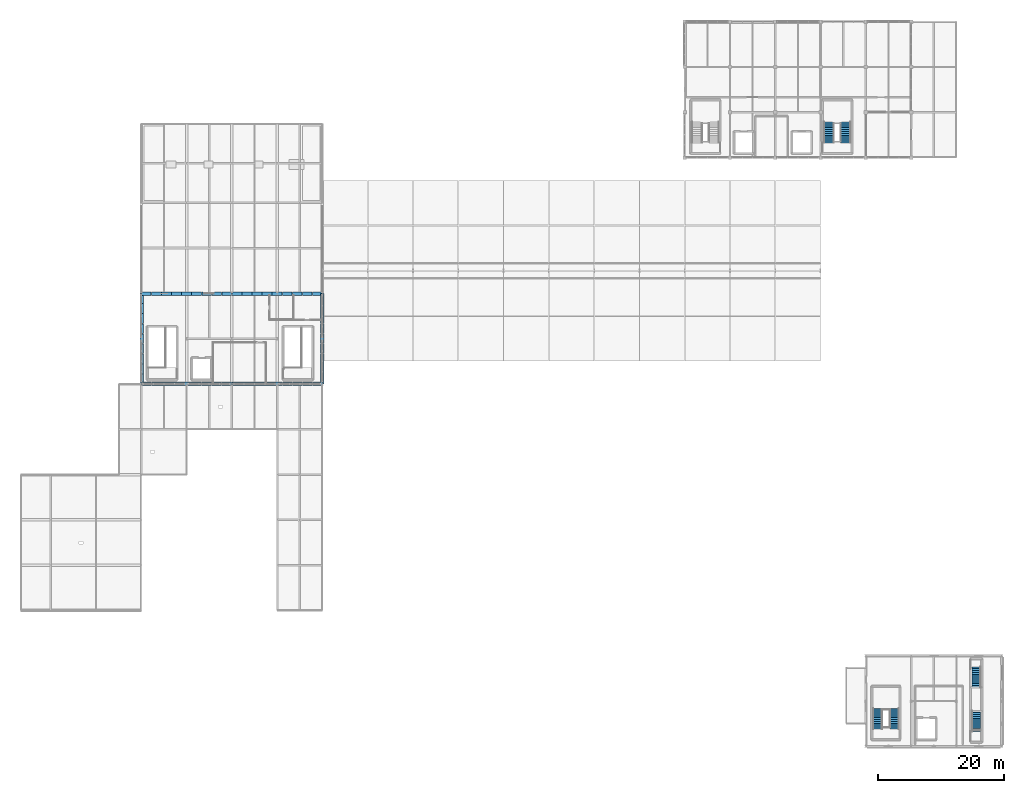
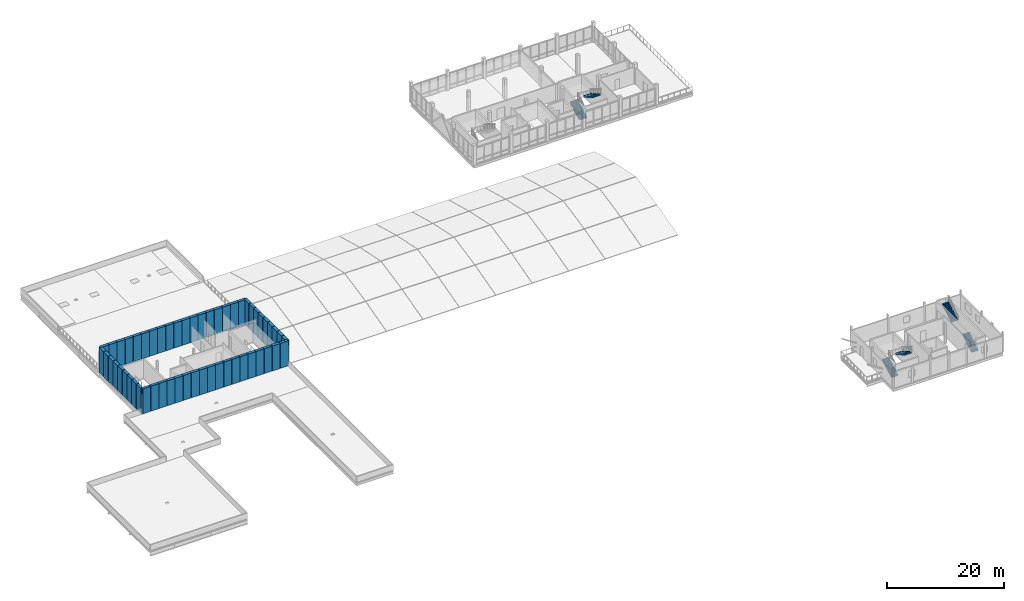
# One storey, part 42 of 47: 54 discrete accessories, 6 stair flights, 3 elements without a shape of their own.
"""IFC4 building model written with IfcOpenShell, lengths in metres."""

from ifc_helpers import new_model, si_unit, direction, frame, origin, origin_2d, place, context, subcontext, project, spatial, polyline, rectangle, outline, extrude, material, type_object, element, aggregate, save


model = new_model("IFC4")

# Units and contexts
model_context = context("Model", 3, precision=1e-05, world=origin(), true_north=direction((0.0, 1.0)))
body_context = subcontext(model_context, "Body", "Model", "MODEL_VIEW")
ifc_project = project(units=[si_unit("LENGTHUNIT", "METRE"), si_unit("AREAUNIT", "SQUARE_METRE"), si_unit("VOLUMEUNIT", "CUBIC_METRE"), si_unit("PLANEANGLEUNIT", "RADIAN"), si_unit("MASSUNIT", "GRAM", prefix="KILO")], contexts=[model_context])

# Site, building, storey
site_placement = place(None, origin())
site = spatial("IfcSite", under=ifc_project, at=site_placement, CompositionType="ELEMENT")
building_placement = place(site_placement, origin())
building = spatial("IfcBuilding", under=site, at=building_placement, Name="Yarey Park Central Fire Station", CompositionType="ELEMENT")
storey_placement = place(building_placement, frame((0.0, 0.0, 18.0)))
storey = spatial("IfcBuildingStorey", under=building, at=storey_placement, Name="L05", CompositionType="ELEMENT", Elevation=18.0)

# Stair, stair flights
ifc_material_1 = material(Name="Concrete C40/50", Category="concrete")
stair_type_1 = type_object("IfcStairType", Name="INT_ST_2RUN_130_H42", PredefinedType="USERDEFINED", material=ifc_material_1)
stair_1_placement = place(storey_placement, origin())
stair_1 = element("IfcStair", 1, at=stair_1_placement, inside=storey, type_object=stair_type_1, Name="Exit Stair ST-5 L05", ObjectType="TWO_RUN_STAIR", PredefinedType="USERDEFINED")
stair_flight_type_1 = type_object("IfcStairFlightType", Name="INT_FLT_130_12", PredefinedType="STRAIGHT", material=ifc_material_1)
stair_flight_1_placement = place(storey_placement, frame((145.89990234375, 2.75, 0.0), z_axis=(0.0, 0.0, 1.0), x_axis=(0.0, 1.0, 0.0)))
stair_flight_1 = element("IfcStairFlight", 2, at=stair_flight_1_placement, type_object=stair_flight_type_1, Name="STAIR_C5_L05_F1", NumberOfRisers=12, NumberOfTreads=11, PredefinedType="STRAIGHT", RiserHeight=0.175, TreadLength=0.3, context=body_context, shape_type="SweptSolid", body=[
    extrude(outline(polyline([(0.0, 0.0), (0.0, 0.175048828125), (0.300048828125, 0.175048828125), (0.300048828125, 0.35009765625), (0.60009765625, 0.35009765625), (0.60009765625, 0.52490234375), (0.89990234375, 0.52490234375), (0.89990234375, 0.699951171875), (1.199951171875, 0.699951171875), (1.199951171875, 0.875), (1.5, 0.875), (1.5, 1.050048828125), (1.800048828125, 1.050048828125), (1.800048828125, 1.22509765625), (2.10009765625, 1.22509765625), (2.10009765625, 1.39990234375), (2.39990234375, 1.39990234375), (2.39990234375, 1.574951171875), (2.699951171875, 1.574951171875), (2.699951171875, 1.75), (3.0, 1.75), (3.0, 1.925048828125), (3.300048828125, 1.925048828125), (3.300048828125, 2.10009765625), (3.300048828125, 1.67041015625), (0.4365234375, 0.0), (0.0, 0.0)])), frame((0.0, 0.64990234375, 0.0), z_axis=(0.0, -1.0, 0.0), x_axis=(1.0, 0.0, 0.0)), (0.0, 0.0, 1.0), 1.300048828125),
])
stair_flight_2_placement = place(storey_placement, frame((148.5, 6.050048828125, 2.10009765625), z_axis=(0.0, 0.0, 1.0), x_axis=(0.0, -1.0, 0.0)))
stair_flight_2 = element("IfcStairFlight", 3, at=stair_flight_2_placement, type_object=stair_flight_type_1, Name="STAIR_C5_L05_F2", NumberOfRisers=12, NumberOfTreads=11, PredefinedType="STRAIGHT", RiserHeight=0.175, TreadLength=0.3, context=body_context, shape_type="SweptSolid", body=[
    extrude(outline(polyline([(0.0, 0.0), (0.0, 0.175048828125), (0.300048828125, 0.175048828125), (0.300048828125, 0.35009765625), (0.60009765625, 0.35009765625), (0.60009765625, 0.52490234375), (0.89990234375, 0.52490234375), (0.89990234375, 0.699951171875), (1.199951171875, 0.699951171875), (1.199951171875, 0.875), (1.5, 0.875), (1.5, 1.050048828125), (1.800048828125, 1.050048828125), (1.800048828125, 1.22509765625), (2.10009765625, 1.22509765625), (2.10009765625, 1.39990234375), (2.39990234375, 1.39990234375), (2.39990234375, 1.574951171875), (2.699951171875, 1.574951171875), (2.699951171875, 1.75), (3.0, 1.75), (3.0, 1.925048828125), (3.300048828125, 1.925048828125), (3.300048828125, 2.10009765625), (3.300048828125, 1.67041015625), (0.4365234375, 0.0), (0.0, 0.0)])), frame((0.0, 0.64990234375, 0.0), z_axis=(0.0, -1.0, 0.0), x_axis=(1.0, 0.0, 0.0)), (0.0, 0.0, 1.0), 1.300048828125),
])
aggregate(stair_1, [stair_flight_1, stair_flight_2])

stair_type_2 = type_object("IfcStairType", Name="INT_ST_1RUN_130_H42", PredefinedType="STRAIGHT_RUN_STAIR", material=ifc_material_1)
stair_2_placement = place(storey_placement, origin())
stair_2 = element("IfcStair", 4, at=stair_2_placement, inside=storey, type_object=stair_type_2, Name="Exit Stair ST-6 L05", PredefinedType="STRAIGHT_RUN_STAIR")
stair_flight_3_placement = place(storey_placement, frame((161.550048828125, 2.35009765625, 0.0), z_axis=(0.0, 0.0, 1.0), x_axis=(0.0, 1.0, 0.0)))
stair_flight_3 = element("IfcStairFlight", 5, at=stair_flight_3_placement, type_object=stair_flight_type_1, Name="STAIR_C6_L05_F1", NumberOfRisers=12, NumberOfTreads=11, PredefinedType="STRAIGHT", RiserHeight=0.175, TreadLength=0.3, context=body_context, shape_type="SweptSolid", body=[
    extrude(outline(polyline([(0.0, 0.0), (0.0, 0.175048828125), (0.300048828125, 0.175048828125), (0.300048828125, 0.35009765625), (0.60009765625, 0.35009765625), (0.60009765625, 0.52490234375), (0.89990234375, 0.52490234375), (0.89990234375, 0.699951171875), (1.199951171875, 0.699951171875), (1.199951171875, 0.875), (1.5, 0.875), (1.5, 1.050048828125), (1.800048828125, 1.050048828125), (1.800048828125, 1.22509765625), (2.10009765625, 1.22509765625), (2.10009765625, 1.39990234375), (2.39990234375, 1.39990234375), (2.39990234375, 1.574951171875), (2.699951171875, 1.574951171875), (2.699951171875, 1.75), (3.0, 1.75), (3.0, 1.925048828125), (3.300048828125, 1.925048828125), (3.300048828125, 2.10009765625), (3.300048828125, 1.67041015625), (0.4365234375, 0.0), (0.0, 0.0)])), frame((0.0, 0.64990234375, 0.0), z_axis=(0.0, -1.0, 0.0), x_axis=(1.0, 0.0, 0.0)), (0.0, 0.0, 1.0), 1.300048828125),
])
stair_flight_4_placement = place(storey_placement, frame((161.550048828125, 9.35009765625, 2.10009765625), z_axis=(0.0, 0.0, 1.0), x_axis=(0.0, 1.0, 0.0)))
stair_flight_4 = element("IfcStairFlight", 6, at=stair_flight_4_placement, type_object=stair_flight_type_1, Name="STAIR_C6_L05_F2", NumberOfRisers=12, NumberOfTreads=11, PredefinedType="STRAIGHT", RiserHeight=0.175, TreadLength=0.3, context=body_context, shape_type="SweptSolid", body=[
    extrude(outline(polyline([(0.0, 0.0), (0.0, 0.175048828125), (0.300048828125, 0.175048828125), (0.300048828125, 0.35009765625), (0.60009765625, 0.35009765625), (0.60009765625, 0.52490234375), (0.89990234375, 0.52490234375), (0.89990234375, 0.699951171875), (1.199951171875, 0.699951171875), (1.199951171875, 0.875), (1.5, 0.875), (1.5, 1.050048828125), (1.800048828125, 1.050048828125), (1.800048828125, 1.22509765625), (2.10009765625, 1.22509765625), (2.10009765625, 1.39990234375), (2.39990234375, 1.39990234375), (2.39990234375, 1.574951171875), (2.699951171875, 1.574951171875), (2.699951171875, 1.75), (3.0, 1.75), (3.0, 1.925048828125), (3.300048828125, 1.925048828125), (3.300048828125, 2.10009765625), (3.300048828125, 1.67041015625), (0.4365234375, 0.0), (0.0, 0.0)])), frame((0.0, 0.64990234375, 0.0), z_axis=(0.0, -1.0, 0.0), x_axis=(1.0, 0.0, 0.0)), (0.0, 0.0, 1.0), 1.300048828125),
])
aggregate(stair_2, [stair_flight_3, stair_flight_4])

stair_type_3 = type_object("IfcStairType", Name="INT_ST_2RUN_150_H42", PredefinedType="USERDEFINED", material=ifc_material_1)
stair_3_placement = place(storey_placement, origin())
stair_3 = element("IfcStair", 7, at=stair_3_placement, inside=storey, type_object=stair_type_3, Name="Exit Stair ST-2 L05", ObjectType="TWO_RUN_STAIR", PredefinedType="USERDEFINED")
stair_flight_type_2 = type_object("IfcStairFlightType", Name="INT_FLT_150_12", PredefinedType="STRAIGHT", material=ifc_material_1)
stair_flight_5_placement = place(storey_placement, frame((138.14990234375, 95.949951171875, 0.0), z_axis=(0.0, 0.0, 1.0), x_axis=(0.0, 1.0, 0.0)))
stair_flight_5 = element("IfcStairFlight", 8, at=stair_flight_5_placement, type_object=stair_flight_type_2, Name="STAIR_C2_L05_F1", NumberOfRisers=12, NumberOfTreads=11, PredefinedType="STRAIGHT", RiserHeight=0.175, TreadLength=0.3, context=body_context, shape_type="SweptSolid", body=[
    extrude(outline(polyline([(0.0, 0.0), (0.0, 0.175048828125), (0.300048828125, 0.175048828125), (0.300048828125, 0.35009765625), (0.60009765625, 0.35009765625), (0.60009765625, 0.52490234375), (0.89990234375, 0.52490234375), (0.89990234375, 0.699951171875), (1.199951171875, 0.699951171875), (1.199951171875, 0.875), (1.5, 0.875), (1.5, 1.050048828125), (1.800048828125, 1.050048828125), (1.800048828125, 1.22509765625), (2.10009765625, 1.22509765625), (2.10009765625, 1.39990234375), (2.39990234375, 1.39990234375), (2.39990234375, 1.574951171875), (2.699951171875, 1.574951171875), (2.699951171875, 1.75), (3.0, 1.75), (3.0, 1.925048828125), (3.300048828125, 1.925048828125), (3.300048828125, 2.10009765625), (3.300048828125, 1.67041015625), (0.4365234375, 0.0), (0.0, 0.0)])), frame((0.0, 0.75, 0.0), z_axis=(0.0, -1.0, 0.0), x_axis=(1.0, 0.0, 0.0)), (0.0, 0.0, 1.0), 1.5),
])
stair_flight_6_placement = place(storey_placement, frame((140.75, 99.25, 2.10009765625), z_axis=(0.0, 0.0, 1.0), x_axis=(0.0, -1.0, 0.0)))
stair_flight_6 = element("IfcStairFlight", 9, at=stair_flight_6_placement, type_object=stair_flight_type_2, Name="STAIR_C2_L05_F2", NumberOfRisers=12, NumberOfTreads=11, PredefinedType="STRAIGHT", RiserHeight=0.175, TreadLength=0.3, context=body_context, shape_type="SweptSolid", body=[
    extrude(outline(polyline([(0.0, 0.0), (0.0, 0.175048828125), (0.300048828125, 0.175048828125), (0.300048828125, 0.35009765625), (0.60009765625, 0.35009765625), (0.60009765625, 0.52490234375), (0.89990234375, 0.52490234375), (0.89990234375, 0.699951171875), (1.199951171875, 0.699951171875), (1.199951171875, 0.875), (1.5, 0.875), (1.5, 1.050048828125), (1.800048828125, 1.050048828125), (1.800048828125, 1.22509765625), (2.10009765625, 1.22509765625), (2.10009765625, 1.39990234375), (2.39990234375, 1.39990234375), (2.39990234375, 1.574951171875), (2.699951171875, 1.574951171875), (2.699951171875, 1.75), (3.0, 1.75), (3.0, 1.925048828125), (3.300048828125, 1.925048828125), (3.300048828125, 2.10009765625), (3.300048828125, 1.67041015625), (0.4365234375, 0.0), (0.0, 0.0)])), frame((0.0, 0.75, 0.0), z_axis=(0.0, -1.0, 0.0), x_axis=(1.0, 0.0, 0.0)), (0.0, 0.0, 1.0), 1.5),
])
aggregate(stair_3, [stair_flight_5, stair_flight_6])

# Discrete accessories
ifc_material_2 = material(Name="Stainless Steel AISI 316L", Category="steel")
discrete_accessory_type = type_object("IfcDiscreteAccessoryType", Name="ENV_BRK_SS1", PredefinedType="BRACKET", material=ifc_material_2)
for number, where, z_axis, x_axis, name in (
    (10, (29.60009765625, 57.64990234375, 0.080078125), (0.0, 0.0, 1.0), (1.0, 0.0, 0.0), "BRK_RAIL_L05_1124"),
    (11, (31.199951171875, 57.64990234375, 0.080078125), (0.0, 0.0, 1.0), (1.0, 0.0, 0.0), "BRK_RAIL_L05_1130"),
    (12, (32.800048828125, 57.64990234375, 0.080078125), (0.0, 0.0, 1.0), (1.0, 0.0, 0.0), "BRK_RAIL_L05_1136"),
    (13, (34.39990234375, 57.64990234375, 0.080078125), (0.0, 0.0, 1.0), (1.0, 0.0, 0.0), "BRK_RAIL_L05_1140"),
    (14, (36.0, 57.64990234375, 0.080078125), (0.0, 0.0, 1.0), (1.0, 0.0, 0.0), "BRK_RAIL_L05_1144"),
    (15, (37.60009765625, 57.64990234375, 0.080078125), (0.0, 0.0, 1.0), (1.0, 0.0, 0.0), "BRK_RAIL_L05_1148"),
    (16, (39.199951171875, 57.64990234375, 0.080078125), (0.0, 0.0, 1.0), (1.0, 0.0, 0.0), "BRK_RAIL_L05_1152"),
    (17, (40.800048828125, 57.64990234375, 0.080078125), (0.0, 0.0, 1.0), (1.0, 0.0, 0.0), "BRK_RAIL_L05_1156"),
    (18, (42.39990234375, 57.64990234375, 0.080078125), (0.0, 0.0, 1.0), (1.0, 0.0, 0.0), "BRK_RAIL_L05_1160"),
    (19, (44.0, 57.64990234375, 0.080078125), (0.0, 0.0, 1.0), (1.0, 0.0, 0.0), "BRK_RAIL_L05_1164"),
    (20, (45.60009765625, 57.64990234375, 0.080078125), (0.0, 0.0, 1.0), (1.0, 0.0, 0.0), "BRK_RAIL_L05_1168"),
    (21, (47.199951171875, 57.64990234375, 0.080078125), (0.0, 0.0, 1.0), (1.0, 0.0, 0.0), "BRK_RAIL_L05_1172"),
    (22, (48.800048828125, 57.64990234375, 0.080078125), (0.0, 0.0, 1.0), (1.0, 0.0, 0.0), "BRK_RAIL_L05_1176"),
    (23, (50.39990234375, 57.64990234375, 0.080078125), (0.0, 0.0, 1.0), (1.0, 0.0, 0.0), "BRK_RAIL_L05_1180"),
    (24, (52.0, 57.64990234375, 0.080078125), (0.0, 0.0, 1.0), (1.0, 0.0, 0.0), "BRK_RAIL_L05_1184"),
    (25, (53.60009765625, 57.64990234375, 0.080078125), (0.0, 0.0, 1.0), (1.0, 0.0, 0.0), "BRK_RAIL_L05_1190"),
    (26, (55.199951171875, 57.64990234375, 0.080078125), (0.0, 0.0, 1.0), (1.0, 0.0, 0.0), "BRK_RAIL_L05_1196"),
    (27, (56.800048828125, 57.64990234375, 0.080078125), (0.0, 0.0, 1.0), (1.0, 0.0, 0.0), "BRK_RAIL_L05_1199"),
    (28, (29.60009765625, 71.949951171875, 0.080078125), (0.0, 0.0, 1.0), (1.0, 0.0, 0.0), "BRK_RAIL_L05_1202"),
    (29, (31.199951171875, 71.949951171875, 0.080078125), (0.0, 0.0, 1.0), (1.0, 0.0, 0.0), "BRK_RAIL_L05_1208"),
    (30, (32.800048828125, 71.949951171875, 0.080078125), (0.0, 0.0, 1.0), (1.0, 0.0, 0.0), "BRK_RAIL_L05_1214"),
    (31, (34.39990234375, 71.949951171875, 0.080078125), (0.0, 0.0, 1.0), (1.0, 0.0, 0.0), "BRK_RAIL_L05_1218"),
    (32, (36.0, 71.949951171875, 0.080078125), (0.0, 0.0, 1.0), (1.0, 0.0, 0.0), "BRK_RAIL_L05_1222"),
    (33, (37.60009765625, 71.949951171875, 0.080078125), (0.0, 0.0, 1.0), (1.0, 0.0, 0.0), "BRK_RAIL_L05_1226"),
    (34, (39.199951171875, 71.949951171875, 0.080078125), (0.0, 0.0, 1.0), (1.0, 0.0, 0.0), "BRK_RAIL_L05_1230"),
    (35, (40.800048828125, 71.949951171875, 0.080078125), (0.0, 0.0, 1.0), (1.0, 0.0, 0.0), "BRK_RAIL_L05_1234"),
    (36, (42.39990234375, 71.949951171875, 0.080078125), (0.0, 0.0, 1.0), (1.0, 0.0, 0.0), "BRK_RAIL_L05_1238"),
    (37, (44.0, 71.949951171875, 0.080078125), (0.0, 0.0, 1.0), (1.0, 0.0, 0.0), "BRK_RAIL_L05_1242"),
    (38, (45.60009765625, 71.949951171875, 0.080078125), (0.0, 0.0, 1.0), (1.0, 0.0, 0.0), "BRK_RAIL_L05_1246"),
    (39, (47.199951171875, 71.949951171875, 0.080078125), (0.0, 0.0, 1.0), (1.0, 0.0, 0.0), "BRK_RAIL_L05_1250"),
    (40, (48.800048828125, 71.949951171875, 0.080078125), (0.0, 0.0, 1.0), (1.0, 0.0, 0.0), "BRK_RAIL_L05_1254"),
    (41, (50.39990234375, 71.949951171875, 0.080078125), (0.0, 0.0, 1.0), (1.0, 0.0, 0.0), "BRK_RAIL_L05_1258"),
    (42, (52.0, 71.949951171875, 0.080078125), (0.0, 0.0, 1.0), (1.0, 0.0, 0.0), "BRK_RAIL_L05_1262"),
    (43, (53.60009765625, 71.949951171875, 0.080078125), (0.0, 0.0, 1.0), (1.0, 0.0, 0.0), "BRK_RAIL_L05_1268"),
    (44, (55.199951171875, 71.949951171875, 0.080078125), (0.0, 0.0, 1.0), (1.0, 0.0, 0.0), "BRK_RAIL_L05_1274"),
    (45, (56.800048828125, 71.949951171875, 0.080078125), (0.0, 0.0, 1.0), (1.0, 0.0, 0.0), "BRK_RAIL_L05_1277"),
):
    element("IfcDiscreteAccessory", number, at=place(storey_placement, frame(where, z_axis=z_axis, x_axis=x_axis)), inside=storey, type_object=discrete_accessory_type, Name=name, PredefinedType="BRACKET", context=body_context, shape_type="SweptSolid", body=[
        extrude(rectangle(XDim=1.56005859375, YDim=0.5400390625, at=origin_2d()), origin(), (0.0, 0.0, 1.0), 5.2099609375),
    ])
for number, where, z_axis, x_axis, name in (
    (46, (28.85009765625, 58.39990234375, 0.080078125), (0.0, 0.0, 1.0), (1.0, 0.0, 0.0), "BRK_RAIL_L05_1280"),
    (47, (28.85009765625, 60.0, 0.080078125), (0.0, 0.0, 1.0), (1.0, 0.0, 0.0), "BRK_RAIL_L05_1286"),
    (48, (28.85009765625, 61.60009765625, 0.080078125), (0.0, 0.0, 1.0), (1.0, 0.0, 0.0), "BRK_RAIL_L05_1292"),
    (49, (28.85009765625, 63.199951171875, 0.080078125), (0.0, 0.0, 1.0), (1.0, 0.0, 0.0), "BRK_RAIL_L05_1296"),
    (50, (28.85009765625, 64.800048828125, 0.080078125), (0.0, 0.0, 1.0), (1.0, 0.0, 0.0), "BRK_RAIL_L05_1300"),
    (51, (28.85009765625, 66.39990234375, 0.080078125), (0.0, 0.0, 1.0), (1.0, 0.0, 0.0), "BRK_RAIL_L05_1304"),
    (52, (28.85009765625, 68.0, 0.080078125), (0.0, 0.0, 1.0), (1.0, 0.0, 0.0), "BRK_RAIL_L05_1310"),
    (53, (28.85009765625, 69.60009765625, 0.080078125), (0.0, 0.0, 1.0), (1.0, 0.0, 0.0), "BRK_RAIL_L05_1316"),
    (54, (28.85009765625, 71.199951171875, 0.080078125), (0.0, 0.0, 1.0), (1.0, 0.0, 0.0), "BRK_RAIL_L05_1319"),
    (55, (57.550048828125, 58.39990234375, 0.080078125), (0.0, 0.0, 1.0), (1.0, 0.0, 0.0), "BRK_RAIL_L05_1322"),
    (56, (57.550048828125, 60.0, 0.080078125), (0.0, 0.0, 1.0), (1.0, 0.0, 0.0), "BRK_RAIL_L05_1328"),
    (57, (57.550048828125, 61.60009765625, 0.080078125), (0.0, 0.0, 1.0), (1.0, 0.0, 0.0), "BRK_RAIL_L05_1334"),
    (58, (57.550048828125, 63.199951171875, 0.080078125), (0.0, 0.0, 1.0), (1.0, 0.0, 0.0), "BRK_RAIL_L05_1338"),
    (59, (57.550048828125, 64.800048828125, 0.080078125), (0.0, 0.0, 1.0), (1.0, 0.0, 0.0), "BRK_RAIL_L05_1342"),
    (60, (57.550048828125, 66.39990234375, 0.080078125), (0.0, 0.0, 1.0), (1.0, 0.0, 0.0), "BRK_RAIL_L05_1346"),
    (61, (57.550048828125, 68.0, 0.080078125), (0.0, 0.0, 1.0), (1.0, 0.0, 0.0), "BRK_RAIL_L05_1352"),
    (62, (57.550048828125, 69.60009765625, 0.080078125), (0.0, 0.0, 1.0), (1.0, 0.0, 0.0), "BRK_RAIL_L05_1358"),
    (63, (57.550048828125, 71.199951171875, 0.080078125), (0.0, 0.0, 1.0), (1.0, 0.0, 0.0), "BRK_RAIL_L05_1361"),
):
    element("IfcDiscreteAccessory", number, at=place(storey_placement, frame(where, z_axis=z_axis, x_axis=x_axis)), inside=storey, type_object=discrete_accessory_type, Name=name, PredefinedType="BRACKET", context=body_context, shape_type="SweptSolid", body=[
        extrude(rectangle(XDim=0.5400390625, YDim=1.56005859375, at=origin_2d()), origin(), (0.0, 0.0, 1.0), 5.2099609375),
    ])

save(model, "model.ifc")
